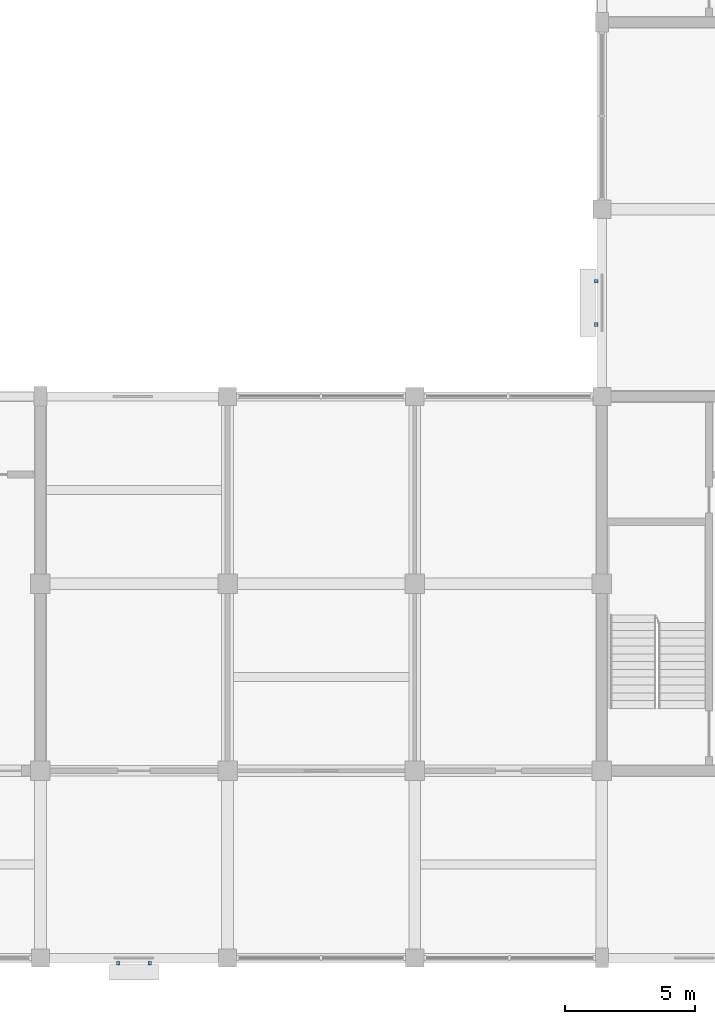
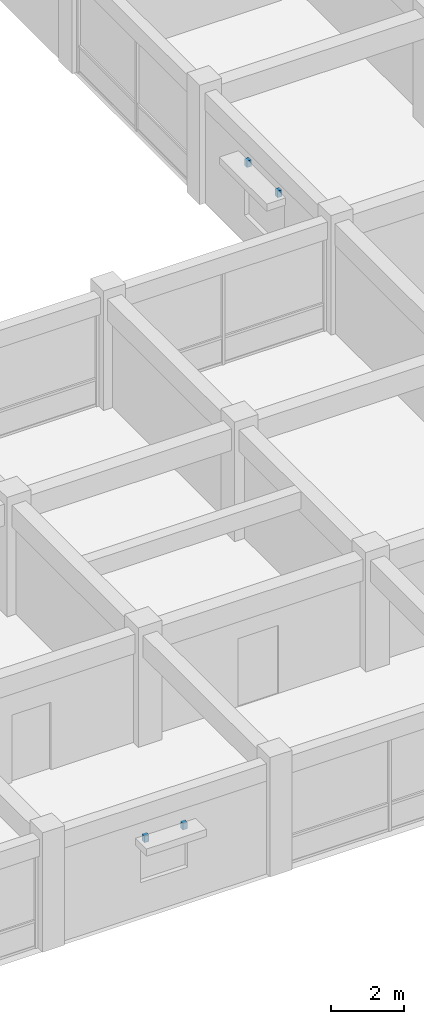
# One storey, part 20 of 25: 4 discrete accessories.
"""IFC4 building model written with IfcOpenShell, lengths in metres."""

from ifc_helpers import new_model, si_unit, direction, frame, origin, origin_2d, place, context, subcontext, project, spatial, rectangle, extrude, material, type_object, element, save


model = new_model("IFC4")

# Units and contexts
model_context = context("Model", 3, precision=1e-05, world=origin(), true_north=direction((0.0, 1.0)))
body_context = subcontext(model_context, "Body", "Model", "MODEL_VIEW")
ifc_project = project(units=[si_unit("LENGTHUNIT", "METRE"), si_unit("AREAUNIT", "SQUARE_METRE"), si_unit("VOLUMEUNIT", "CUBIC_METRE"), si_unit("PLANEANGLEUNIT", "RADIAN"), si_unit("MASSUNIT", "GRAM", prefix="KILO")], contexts=[model_context])

# Site, building, storey
site_placement = place(None, origin())
site = spatial("IfcSite", under=ifc_project, at=site_placement, CompositionType="ELEMENT")
building_placement = place(site_placement, origin())
building = spatial("IfcBuilding", under=site, at=building_placement, Name="Cendaluz Park School", CompositionType="ELEMENT")
storey_placement = place(building_placement, frame((0.0, 0.0, 18.60009765625)))
storey = spatial("IfcBuildingStorey", under=building, at=storey_placement, Name="L04", CompositionType="ELEMENT", Elevation=18.60009765625)

# Discrete accessories
ifc_material = material(Name="Steel S355", Category="steel")
discrete_accessory_type = type_object("IfcDiscreteAccessoryType", Name="BK-01", PredefinedType="BRACKET", material=ifc_material)
for number, where, z_axis, x_axis, name in (
    (1, (46.19189453125, 6.989990234375, 2.47998046875), (0.0, 0.0, 1.0), (1.0, 0.0, 0.0), "BK-L04-121"),
    (2, (47.407958984375, 6.989990234375, 2.47998046875), (0.0, 0.0, 1.0), (1.0, 0.0, 0.0), "BK-L04-122"),
    (3, (64.590087890625, 31.568115234375, 2.72998046875), (0.0, 0.0, 1.0), (0.0, 1.0, 0.0), "BK-L04-123"),
    (4, (64.590087890625, 33.23193359375, 2.72998046875), (0.0, 0.0, 1.0), (0.0, 1.0, 0.0), "BK-L04-124"),
):
    element("IfcDiscreteAccessory", number, at=place(storey_placement, frame(where, z_axis=z_axis, x_axis=x_axis)), inside=storey, type_object=discrete_accessory_type, Name=name, PredefinedType="BRACKET", context=body_context, shape_type="SweptSolid", body=[
        extrude(rectangle(XDim=0.139892578125, YDim=0.139892578125, at=origin_2d()), origin(), (0.0, 0.0, 1.0), 0.219970703125),
    ])

save(model, "model.ifc")
